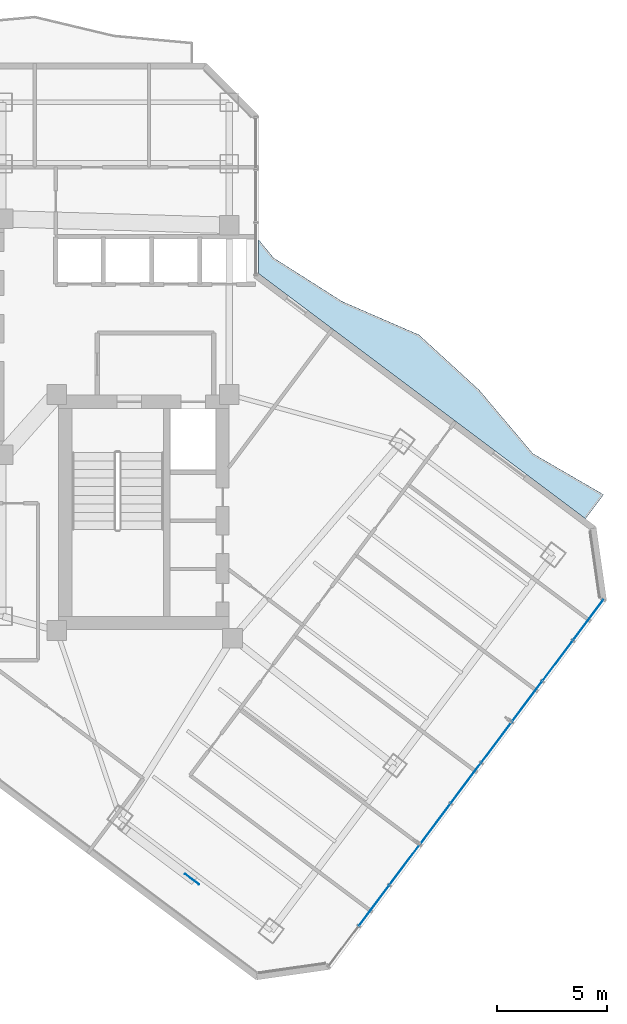
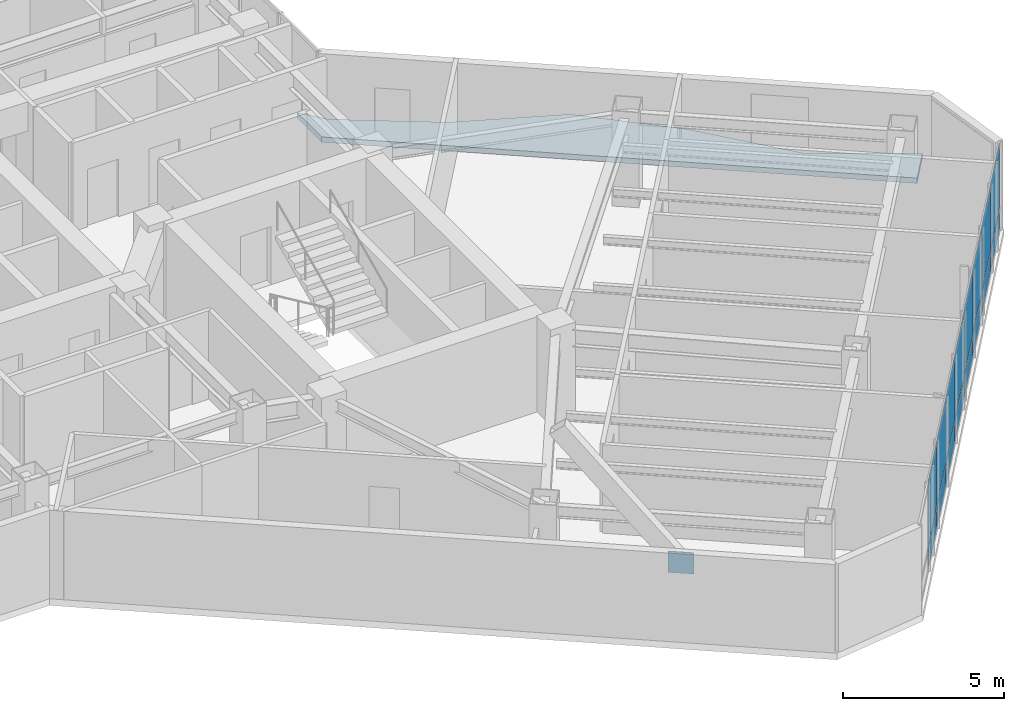
# One storey, part 21 of 29: 17 plates, 1 slab, 1 element without a shape of its own.
"""IFC4 building model written with IfcOpenShell, lengths in metres."""

from ifc_helpers import new_model, si_unit, direction, frame, origin, origin_2d, place, context, subcontext, project, spatial, polyline, rectangle, outline, extrude, material, layer, layer_set, type_object, element, aggregate, save


model = new_model("IFC4")

# Units and contexts
model_context = context("Model", 3, precision=1e-05, world=origin(), true_north=direction((0.0, 1.0)))
body_context = subcontext(model_context, "Body", "Model", "MODEL_VIEW")
ifc_project = project(units=[si_unit("LENGTHUNIT", "METRE"), si_unit("AREAUNIT", "SQUARE_METRE"), si_unit("VOLUMEUNIT", "CUBIC_METRE"), si_unit("PLANEANGLEUNIT", "RADIAN"), si_unit("MASSUNIT", "GRAM", prefix="KILO")], contexts=[model_context])

# Site, building, storey
site_placement = place(None, origin())
site = spatial("IfcSite", under=ifc_project, at=site_placement, CompositionType="ELEMENT")
building_placement = place(site_placement, origin())
building = spatial("IfcBuilding", under=site, at=building_placement, Name="Hatsunagi Terrace Concourse", CompositionType="ELEMENT")
storey_placement = place(building_placement, frame((0.0, 0.0, 149.25)))
storey = spatial("IfcBuildingStorey", under=building, at=storey_placement, Name="L39", CompositionType="ELEMENT", Elevation=149.25)

# Curtain wall, plates
ifc_material_1 = material(Name="Anodised Aluminium Alloy 6063-T5", Category="aluminium")
ifc_layer_1 = layer(ifc_material_1, 0.199951171875)
ifc_layer_set_1 = layer_set([ifc_layer_1], Name="OfficeZone1_CW03")
curtain_wall_type = type_object("IfcCurtainWallType", Name="OfficeZone1_CW03", PredefinedType="NOTDEFINED", material=ifc_layer_set_1)
curtain_wall_placement = place(storey_placement, origin())
curtain_wall = element("IfcCurtainWall", 1, at=curtain_wall_placement, inside=storey, type_object=curtain_wall_type, Name="Unitised Curtain Wall CW-03 CW-L39-03", PredefinedType="NOTDEFINED")
ifc_material_2 = material(Name="Warm Terracotta Ceramic Spandrel Panel", Category="masonry")
ifc_layer_2 = layer(ifc_material_2, 0.031982421875)
ifc_layer_set_2 = layer_set([ifc_layer_2], Name="CurtainWallSpandrelPanel_32")
plate_type_1 = type_object("IfcPlateType", Name="CurtainWallSpandrelPanel_32", PredefinedType="SHEET", material=ifc_layer_set_2)
plate_1_placement = place(storey_placement, frame((59.9970703125, 25.030029296875, 0.030029296875), z_axis=(0.0, 0.0, 1.0), x_axis=(-0.599969314634, -0.800023013105, 0.0)))
plate_1 = element("IfcPlate", 2, at=plate_1_placement, type_object=plate_type_1, Name="Terracotta Spandrel Panel SPN-01", PredefinedType="SHEET", context=body_context, shape_type="SweptSolid", body=[
    extrude(rectangle(XDim=2.264892578125, YDim=0.031982421875, at=origin_2d()), origin(), (0.0, 0.0, 1.0), 0.7900390625),
])
plate_2_placement = place(storey_placement, frame((58.60498046875, 23.173095703125, 0.030029296875), z_axis=(0.0, 0.0, 1.0), x_axis=(-0.599969314634, -0.800023013105, 0.0)))
plate_2 = element("IfcPlate", 3, at=plate_2_placement, type_object=plate_type_1, Name="Terracotta Spandrel Panel SPN-01", PredefinedType="SHEET", context=body_context, shape_type="SweptSolid", body=[
    extrude(rectangle(XDim=2.264892578125, YDim=0.031982421875, at=origin_2d()), origin(), (0.0, 0.0, 1.0), 0.7900390625),
])
plate_3_placement = place(storey_placement, frame((57.2119140625, 21.31689453125, 0.030029296875), z_axis=(0.0, 0.0, 1.0), x_axis=(-0.599969314634, -0.800023013105, 0.0)))
plate_3 = element("IfcPlate", 4, at=plate_3_placement, type_object=plate_type_1, Name="Terracotta Spandrel Panel SPN-01", PredefinedType="SHEET", context=body_context, shape_type="SweptSolid", body=[
    extrude(rectangle(XDim=2.264892578125, YDim=0.031982421875, at=origin_2d()), origin(), (0.0, 0.0, 1.0), 0.7900390625),
])
plate_4_placement = place(storey_placement, frame((55.820068359375, 19.4599609375, 0.030029296875), z_axis=(0.0, 0.0, 1.0), x_axis=(-0.599969314634, -0.800023013105, 0.0)))
plate_4 = element("IfcPlate", 5, at=plate_4_placement, type_object=plate_type_1, Name="Terracotta Spandrel Panel SPN-01", PredefinedType="SHEET", context=body_context, shape_type="SweptSolid", body=[
    extrude(rectangle(XDim=2.264892578125, YDim=0.031982421875, at=origin_2d()), origin(), (0.0, 0.0, 1.0), 0.7900390625),
])
plate_5_placement = place(storey_placement, frame((54.427978515625, 17.60400390625, 0.030029296875), z_axis=(0.0, 0.0, 1.0), x_axis=(-0.599969314634, -0.800023013105, 0.0)))
plate_5 = element("IfcPlate", 6, at=plate_5_placement, type_object=plate_type_1, Name="Terracotta Spandrel Panel SPN-01", PredefinedType="SHEET", context=body_context, shape_type="SweptSolid", body=[
    extrude(rectangle(XDim=2.264892578125, YDim=0.031982421875, at=origin_2d()), origin(), (0.0, 0.0, 1.0), 0.7900390625),
])
plate_6_placement = place(storey_placement, frame((53.035888671875, 15.748046875, 0.030029296875), z_axis=(0.0, 0.0, 1.0), x_axis=(-0.599969314634, -0.800023013105, 0.0)))
plate_6 = element("IfcPlate", 7, at=plate_6_placement, type_object=plate_type_1, Name="Terracotta Spandrel Panel SPN-01", PredefinedType="SHEET", context=body_context, shape_type="SweptSolid", body=[
    extrude(rectangle(XDim=2.264892578125, YDim=0.031982421875, at=origin_2d()), origin(), (0.0, 0.0, 1.0), 0.7900390625),
])
plate_7_placement = place(storey_placement, frame((51.64404296875, 13.89111328125, 0.030029296875), z_axis=(0.0, 0.0, 1.0), x_axis=(-0.599969314634, -0.800023013105, 0.0)))
plate_7 = element("IfcPlate", 8, at=plate_7_placement, type_object=plate_type_1, Name="Terracotta Spandrel Panel SPN-01", PredefinedType="SHEET", context=body_context, shape_type="SweptSolid", body=[
    extrude(rectangle(XDim=2.264892578125, YDim=0.031982421875, at=origin_2d()), origin(), (0.0, 0.0, 1.0), 0.7900390625),
])
plate_8_placement = place(storey_placement, frame((50.2509765625, 12.034912109375, 0.030029296875), z_axis=(0.0, 0.0, 1.0), x_axis=(-0.599969314634, -0.800023013105, 0.0)))
plate_8 = element("IfcPlate", 9, at=plate_8_placement, type_object=plate_type_1, Name="Terracotta Spandrel Panel SPN-01", PredefinedType="SHEET", context=body_context, shape_type="SweptSolid", body=[
    extrude(rectangle(XDim=2.264892578125, YDim=0.031982421875, at=origin_2d()), origin(), (0.0, 0.0, 1.0), 0.7900390625),
])
ifc_material_3 = material(Name="Low-E Double Insulating Glass 28mm", Category="glass")
ifc_layer_3 = layer(ifc_material_3, 0.028076171875)
ifc_layer_set_3 = layer_set([ifc_layer_3], Name="CurtainWallVisionGlass_28")
plate_type_2 = type_object("IfcPlateType", Name="CurtainWallVisionGlass_28", PredefinedType="CURTAIN_PANEL", material=ifc_layer_set_3)
plate_9_placement = place(storey_placement, frame((59.9970703125, 25.030029296875, 0.880126953125), z_axis=(0.0, 0.0, 1.0), x_axis=(-0.599969314634, -0.800023013105, 0.0)))
plate_9 = element("IfcPlate", 10, at=plate_9_placement, type_object=plate_type_2, Name="Low-E Vision Glass Panel GLZ-01", PredefinedType="CURTAIN_PANEL", context=body_context, shape_type="SweptSolid", body=[
    extrude(rectangle(XDim=2.264892578125, YDim=0.028076171875, at=origin_2d()), origin(), (0.0, 0.0, 1.0), 2.43994140625),
])
plate_10_placement = place(storey_placement, frame((58.60498046875, 23.173095703125, 0.880126953125), z_axis=(0.0, 0.0, 1.0), x_axis=(-0.599969314634, -0.800023013105, 0.0)))
plate_10 = element("IfcPlate", 11, at=plate_10_placement, type_object=plate_type_2, Name="Low-E Vision Glass Panel GLZ-01", PredefinedType="CURTAIN_PANEL", context=body_context, shape_type="SweptSolid", body=[
    extrude(rectangle(XDim=2.264892578125, YDim=0.028076171875, at=origin_2d()), origin(), (0.0, 0.0, 1.0), 2.43994140625),
])
plate_11_placement = place(storey_placement, frame((57.2119140625, 21.31689453125, 0.880126953125), z_axis=(0.0, 0.0, 1.0), x_axis=(-0.599969314634, -0.800023013105, 0.0)))
plate_11 = element("IfcPlate", 12, at=plate_11_placement, type_object=plate_type_2, Name="Low-E Vision Glass Panel GLZ-01", PredefinedType="CURTAIN_PANEL", context=body_context, shape_type="SweptSolid", body=[
    extrude(rectangle(XDim=2.264892578125, YDim=0.028076171875, at=origin_2d()), origin(), (0.0, 0.0, 1.0), 2.43994140625),
])
plate_12_placement = place(storey_placement, frame((55.820068359375, 19.4599609375, 0.880126953125), z_axis=(0.0, 0.0, 1.0), x_axis=(-0.599969314634, -0.800023013105, 0.0)))
plate_12 = element("IfcPlate", 13, at=plate_12_placement, type_object=plate_type_2, Name="Low-E Vision Glass Panel GLZ-01", PredefinedType="CURTAIN_PANEL", context=body_context, shape_type="SweptSolid", body=[
    extrude(rectangle(XDim=2.264892578125, YDim=0.028076171875, at=origin_2d()), origin(), (0.0, 0.0, 1.0), 2.43994140625),
])
plate_13_placement = place(storey_placement, frame((54.427978515625, 17.60400390625, 0.880126953125), z_axis=(0.0, 0.0, 1.0), x_axis=(-0.599969314634, -0.800023013105, 0.0)))
plate_13 = element("IfcPlate", 14, at=plate_13_placement, type_object=plate_type_2, Name="Low-E Vision Glass Panel GLZ-01", PredefinedType="CURTAIN_PANEL", context=body_context, shape_type="SweptSolid", body=[
    extrude(rectangle(XDim=2.264892578125, YDim=0.028076171875, at=origin_2d()), origin(), (0.0, 0.0, 1.0), 2.43994140625),
])
plate_14_placement = place(storey_placement, frame((53.035888671875, 15.748046875, 0.880126953125), z_axis=(0.0, 0.0, 1.0), x_axis=(-0.599969314634, -0.800023013105, 0.0)))
plate_14 = element("IfcPlate", 15, at=plate_14_placement, type_object=plate_type_2, Name="Low-E Vision Glass Panel GLZ-01", PredefinedType="CURTAIN_PANEL", context=body_context, shape_type="SweptSolid", body=[
    extrude(rectangle(XDim=2.264892578125, YDim=0.028076171875, at=origin_2d()), origin(), (0.0, 0.0, 1.0), 2.43994140625),
])
plate_15_placement = place(storey_placement, frame((51.64404296875, 13.89111328125, 0.880126953125), z_axis=(0.0, 0.0, 1.0), x_axis=(-0.599969314634, -0.800023013105, 0.0)))
plate_15 = element("IfcPlate", 16, at=plate_15_placement, type_object=plate_type_2, Name="Low-E Vision Glass Panel GLZ-01", PredefinedType="CURTAIN_PANEL", context=body_context, shape_type="SweptSolid", body=[
    extrude(rectangle(XDim=2.264892578125, YDim=0.028076171875, at=origin_2d()), origin(), (0.0, 0.0, 1.0), 2.43994140625),
])
plate_16_placement = place(storey_placement, frame((50.2509765625, 12.034912109375, 0.880126953125), z_axis=(0.0, 0.0, 1.0), x_axis=(-0.599969314634, -0.800023013105, 0.0)))
plate_16 = element("IfcPlate", 17, at=plate_16_placement, type_object=plate_type_2, Name="Low-E Vision Glass Panel GLZ-01", PredefinedType="CURTAIN_PANEL", context=body_context, shape_type="SweptSolid", body=[
    extrude(rectangle(XDim=2.264892578125, YDim=0.028076171875, at=origin_2d()), origin(), (0.0, 0.0, 1.0), 2.43994140625),
])
aggregate(curtain_wall, [plate_1, plate_9, plate_2, plate_10, plate_3, plate_11, plate_4, plate_12, plate_5, plate_13, plate_6, plate_14, plate_7, plate_15, plate_8, plate_16])

# Slab
ifc_material_4 = material(Name="Concrete Fc42", Category="concrete")
ifc_layer_4 = layer(ifc_material_4, 0.199951171875)
ifc_layer_set_4 = layer_set([ifc_layer_4], Name="EngawaBalconySlab_Fc42_200")
slab_type = type_object("IfcSlabType", Name="EngawaBalconySlab_Fc42_200", PredefinedType="FLOOR", material=ifc_layer_set_4)
slab_placement = place(storey_placement, frame((0.0, 0.0, -0.199951171875)))
element("IfcSlab", 18, at=slab_placement, inside=storey, type_object=slab_type, Name="Engawa Balcony Slab BAL-L39-BSE", PredefinedType="FLOOR", context=body_context, shape_type="SweptSolid", body=[
    extrude(outline(polyline([(45.6669921875, 41.52294921875), (44.99609375, 42.341064453125), (44.99609375, 40.802978515625), (59.8798828125, 29.639892578125), (60.702880859375, 30.737060546875), (57.47998046875, 32.60693359375), (55.030029296875, 35.506103515625), (52.2880859375, 38.01708984375), (48.799072265625, 39.531982421875), (45.6669921875, 41.52294921875)])), origin(), (0.0, 0.0, 1.0), 0.199951171875),
])

# Plate
ifc_material_5 = material(Name="Steel SN490C", Category="steel")
ifc_layer_5 = layer(ifc_material_5, 0.031982421875)
ifc_layer_set_5 = layer_set([ifc_layer_5], Name="XBraceNodeCapPlate_32")
plate_type_3 = type_object("IfcPlateType", Name="XBraceNodeCapPlate_32", PredefinedType="USERDEFINED", material=ifc_layer_set_5)
plate_17_placement = place(storey_placement, frame((41.951904296875, 13.236083984375, 1.27490234375), z_axis=(0.0, 0.0, 1.0), x_axis=(0.799999996291, -0.600000004945, 0.0)))
element("IfcPlate", 19, at=plate_17_placement, inside=storey, type_object=plate_type_3, Name="X-Brace Crossing Gusset Node Plate GP-02 XB-L38-SE", ObjectType="GUSSET_PLATE", PredefinedType="USERDEFINED", context=body_context, shape_type="SweptSolid", body=[
    extrude(rectangle(XDim=0.800048828125, YDim=0.031982421875, at=origin_2d()), origin(), (0.0, 0.0, 1.0), 0.800048828125),
])

save(model, "model.ifc")
